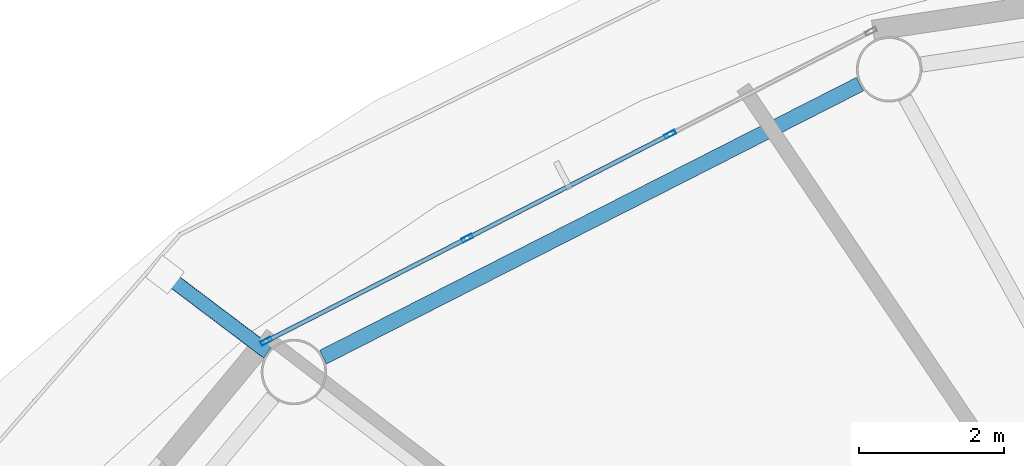
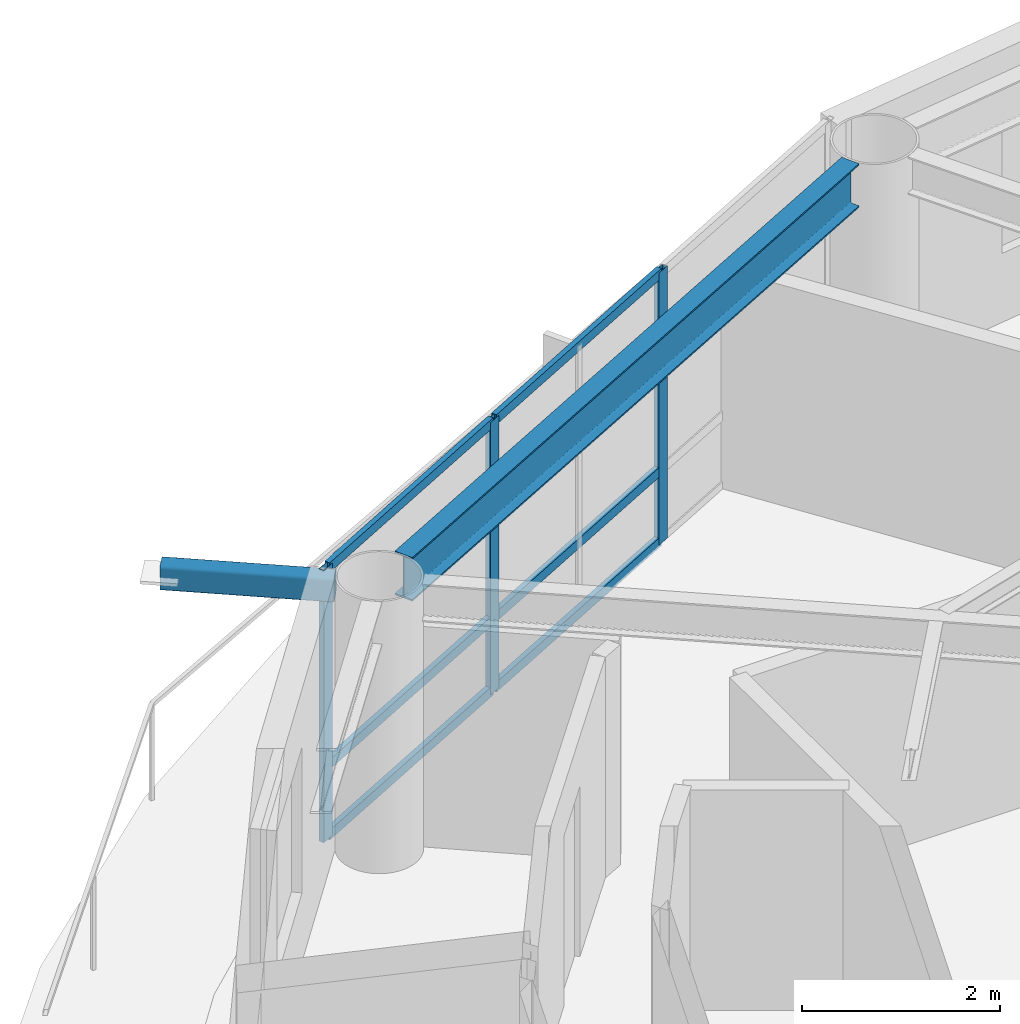
# One storey, part 8 of 22: 10 members, 1 beam, 1 element without a shape of its own.
"""IFC4 building model written with IfcOpenShell, lengths in metres."""

from ifc_helpers import new_model, si_unit, direction, frame, origin, origin_2d, place, context, subcontext, project, spatial, hollow_rectangle, i_section, extrude, material, layer, layer_set, material_profile, profile_set, type_object, element, aggregate, save


model = new_model("IFC4")

# Units and contexts
model_context = context("Model", 3, precision=1e-05, world=origin(), true_north=direction((0.0, 1.0)))
body_context = subcontext(model_context, "Body", "Model", "MODEL_VIEW")
ifc_project = project(units=[si_unit("LENGTHUNIT", "METRE"), si_unit("AREAUNIT", "SQUARE_METRE"), si_unit("VOLUMEUNIT", "CUBIC_METRE"), si_unit("PLANEANGLEUNIT", "RADIAN"), si_unit("MASSUNIT", "GRAM", prefix="KILO")], contexts=[model_context])

# Site, building, storey
site_placement = place(None, origin())
site = spatial("IfcSite", under=ifc_project, at=site_placement, CompositionType="ELEMENT")
building_placement = place(site_placement, origin())
building = spatial("IfcBuilding", under=site, at=building_placement, Name="Sarneth Arch Tower", CompositionType="ELEMENT")
storey_placement = place(building_placement, frame((0.0, 0.0, 210.0)))
storey = spatial("IfcBuildingStorey", under=building, at=storey_placement, Name="L53", CompositionType="ELEMENT", Elevation=210.0)

# Beam
ifc_material_1 = material(Name="Steel S355", Category="steel")
ifc_material_profile_1 = material_profile(ifc_material_1, i_section(OverallWidth=0.2109375, OverallDepth=0.5390625, WebThickness=0.01171875, FlangeThickness=0.018798828125, FilletRadius=0.01806640625, at=origin_2d()), Name="W530x109")
ifc_profile_set_1 = profile_set([ifc_material_profile_1], Name="Steel S355")
beam_type = type_object("IfcBeamType", Name="BM-RAD-530B", PredefinedType="BEAM", material=ifc_profile_set_1)
beam_placement = place(storey_placement, frame((37.80810546875, 59.534423828125, 3.090576171875), z_axis=(-0.891376248079, -0.453264144138, 0.0), x_axis=(0.453264144138, -0.891376248079, 0.0)))
element("IfcBeam", 1, at=beam_placement, inside=storey, type_object=beam_type, Name="L53 Perimeter spandrel beam 06", PredefinedType="BEAM", context=body_context, shape_type="SweptSolid", body=[
    extrude(i_section(OverallWidth=0.2109375, OverallDepth=0.5390625, WebThickness=0.01171875, FlangeThickness=0.018798828125, FilletRadius=0.01806640625, at=origin_2d()), origin(), (0.0, 0.0, 1.0), 8.281982421875),
])

# Curtain wall, members
ifc_material_2 = material(Name="Anodised aluminium Type AA25 and solar-control low-e laminated IGU", Category="aluminium")
ifc_layer = layer(ifc_material_2, 0.179931640625)
ifc_layer_set = layer_set([ifc_layer], Name="Anodised aluminium Type AA25 and solar-control low-e laminated IGU")
curtain_wall_type = type_object("IfcCurtainWallType", Name="CW-RES-HIGH", PredefinedType="NOTDEFINED", material=ifc_layer_set)
curtain_wall_placement = place(storey_placement, origin())
curtain_wall = element("IfcCurtainWall", 2, at=curtain_wall_placement, inside=storey, type_object=curtain_wall_type, Name="L53 Unitised curtain wall facet 06", PredefinedType="NOTDEFINED")
ifc_material_3 = material(Name="Anodised Aluminium 6063-T6", Category="aluminium")
ifc_material_profile_2 = material_profile(ifc_material_3, hollow_rectangle(XDim=0.06005859375, YDim=0.159912109375, WallThickness=0.00390625, at=origin_2d()), Name="AL-MULL-160x60x4")
ifc_profile_set_2 = profile_set([ifc_material_profile_2], Name="Anodised Aluminium 6063-T6")
member_type_1 = type_object("IfcMemberType", Name="CW-MULLION", PredefinedType="MULLION", material=ifc_profile_set_2)
member_1_placement = place(storey_placement, frame((35.197509765625, 58.844970703125, 0.0), z_axis=(0.0, 0.0, 1.0), x_axis=(0.455941901753, -0.890009540525, 0.0)))
member_1 = element("IfcMember", 3, at=member_1_placement, type_object=member_type_1, Name="CW-SYS-6 mullion 2", PredefinedType="MULLION", context=body_context, shape_type="SweptSolid", body=[
    extrude(hollow_rectangle(XDim=0.06005859375, YDim=0.159912109375, WallThickness=0.00390625, at=origin_2d()), origin(), (0.0, 0.0, 1.0), 3.360107421875),
])
member_2_placement = place(storey_placement, frame((32.407470703125, 57.415771484375, 0.0), z_axis=(0.0, 0.0, 1.0), x_axis=(0.455941901753, -0.890009540525, 0.0)))
member_2 = element("IfcMember", 4, at=member_2_placement, type_object=member_type_1, Name="CW-SYS-6 mullion 3", PredefinedType="MULLION", context=body_context, shape_type="SweptSolid", body=[
    extrude(hollow_rectangle(XDim=0.06005859375, YDim=0.159912109375, WallThickness=0.00390625, at=origin_2d()), origin(), (0.0, 0.0, 1.0), 3.360107421875),
])
member_3_placement = place(storey_placement, frame((29.644287109375, 56.000244140625, 0.0), z_axis=(0.0, 0.0, 1.0), x_axis=(0.455941901753, -0.890009540525, 0.0)))
member_3 = element("IfcMember", 5, at=member_3_placement, type_object=member_type_1, Name="CW-SYS-6 mullion 4", PredefinedType="MULLION", context=body_context, shape_type="SweptSolid", body=[
    extrude(hollow_rectangle(XDim=0.06005859375, YDim=0.159912109375, WallThickness=0.00390625, at=origin_2d()), origin(), (0.0, 0.0, 1.0), 3.360107421875),
])
ifc_material_4 = material(Name="Anodised Aluminium 6063-T6", Category="aluminium")
ifc_material_profile_3 = material_profile(ifc_material_4, hollow_rectangle(XDim=0.06005859375, YDim=0.1201171875, WallThickness=0.00390625, at=origin_2d()), Name="AL-TRAN-120x60x4")
ifc_profile_set_3 = profile_set([ifc_material_profile_3], Name="Anodised Aluminium 6063-T6")
member_type_2 = type_object("IfcMemberType", Name="CW-TRANSOM", PredefinedType="USERDEFINED", material=ifc_profile_set_3)
member_4_placement = place(storey_placement, frame((35.170654296875, 58.831298828125, 0.030029296875), z_axis=(-0.890017432405, -0.455926496286, 0.0), x_axis=(0.455926496286, -0.890017432405, 0.0)))
member_4 = element("IfcMember", 6, at=member_4_placement, type_object=member_type_2, Name="CW-SYS-6 transom 2.1", ObjectType="TRANSOM", PredefinedType="USERDEFINED", context=body_context, shape_type="SweptSolid", body=[
    extrude(hollow_rectangle(XDim=0.06005859375, YDim=0.1201171875, WallThickness=0.00390625, at=origin_2d()), origin(), (0.0, 0.0, 1.0), 3.07470703125),
])
member_5_placement = place(storey_placement, frame((35.170654296875, 58.831298828125, 0.89990234375), z_axis=(-0.890017432405, -0.455926496286, 0.0), x_axis=(0.455926496286, -0.890017432405, 0.0)))
member_5 = element("IfcMember", 7, at=member_5_placement, type_object=member_type_2, Name="CW-SYS-6 transom 2.2", ObjectType="TRANSOM", PredefinedType="USERDEFINED", context=body_context, shape_type="SweptSolid", body=[
    extrude(hollow_rectangle(XDim=0.06005859375, YDim=0.1201171875, WallThickness=0.00390625, at=origin_2d()), origin(), (0.0, 0.0, 1.0), 3.07470703125),
])
member_6_placement = place(storey_placement, frame((35.170654296875, 58.831298828125, 3.330078125), z_axis=(-0.890017432405, -0.455926496286, 0.0), x_axis=(0.455926496286, -0.890017432405, 0.0)))
member_6 = element("IfcMember", 8, at=member_6_placement, type_object=member_type_2, Name="CW-SYS-6 transom 2.3", ObjectType="TRANSOM", PredefinedType="USERDEFINED", context=body_context, shape_type="SweptSolid", body=[
    extrude(hollow_rectangle(XDim=0.06005859375, YDim=0.1201171875, WallThickness=0.00390625, at=origin_2d()), origin(), (0.0, 0.0, 1.0), 3.07470703125),
])
member_7_placement = place(storey_placement, frame((32.380859375, 57.402099609375, 0.030029296875), z_axis=(-0.890022732705, -0.455916149384, 0.0), x_axis=(0.455916149384, -0.890022732705, 0.0)))
member_7 = element("IfcMember", 9, at=member_7_placement, type_object=member_type_2, Name="CW-SYS-6 transom 3.1", ObjectType="TRANSOM", PredefinedType="USERDEFINED", context=body_context, shape_type="SweptSolid", body=[
    extrude(hollow_rectangle(XDim=0.06005859375, YDim=0.1201171875, WallThickness=0.00390625, at=origin_2d()), origin(), (0.0, 0.0, 1.0), 3.044921875),
])
member_8_placement = place(storey_placement, frame((32.380859375, 57.402099609375, 0.89990234375), z_axis=(-0.890022732705, -0.455916149384, 0.0), x_axis=(0.455916149384, -0.890022732705, 0.0)))
member_8 = element("IfcMember", 10, at=member_8_placement, type_object=member_type_2, Name="CW-SYS-6 transom 3.2", ObjectType="TRANSOM", PredefinedType="USERDEFINED", context=body_context, shape_type="SweptSolid", body=[
    extrude(hollow_rectangle(XDim=0.06005859375, YDim=0.1201171875, WallThickness=0.00390625, at=origin_2d()), origin(), (0.0, 0.0, 1.0), 3.044921875),
])
member_9_placement = place(storey_placement, frame((32.380859375, 57.402099609375, 3.330078125), z_axis=(-0.890022732705, -0.455916149384, 0.0), x_axis=(0.455916149384, -0.890022732705, 0.0)))
member_9 = element("IfcMember", 11, at=member_9_placement, type_object=member_type_2, Name="CW-SYS-6 transom 3.3", ObjectType="TRANSOM", PredefinedType="USERDEFINED", context=body_context, shape_type="SweptSolid", body=[
    extrude(hollow_rectangle(XDim=0.06005859375, YDim=0.1201171875, WallThickness=0.00390625, at=origin_2d()), origin(), (0.0, 0.0, 1.0), 3.044921875),
])
aggregate(curtain_wall, [member_1, member_2, member_3, member_4, member_5, member_6, member_7, member_8, member_9])

# Member
ifc_material_5 = material(Name="Steel S355", Category="steel")
ifc_material_profile_4 = material_profile(ifc_material_5, hollow_rectangle(XDim=0.199951171875, YDim=0.300048828125, WallThickness=0.012451171875, InnerFilletRadius=0.018798828125, OuterFilletRadius=0.03125, at=origin_2d()), Name="RHS300x200x12.5")
ifc_profile_set_4 = profile_set([ifc_material_profile_4], Name="Steel S355")
member_type_3 = type_object("IfcMemberType", Name="MEM-CANT-STRUT", PredefinedType="STRUT", material=ifc_profile_set_4)
member_10_placement = place(storey_placement, frame((29.665771484375, 55.84765625, 3.199951171875), z_axis=(-0.798011619551, 0.602642062141, 0.0), x_axis=(-0.602642062141, -0.798011619551, 0.0)))
element("IfcMember", 12, at=member_10_placement, inside=storey, type_object=member_type_3, Name="L53 Balcony cantilever bracket 07", PredefinedType="STRUT", context=body_context, shape_type="SweptSolid", body=[
    extrude(hollow_rectangle(XDim=0.199951171875, YDim=0.300048828125, WallThickness=0.012451171875, InnerFilletRadius=0.018798828125, OuterFilletRadius=0.03125, at=origin_2d()), origin(), (0.0, 0.0, 1.0), 1.77197265625),
])

save(model, "model.ifc")
